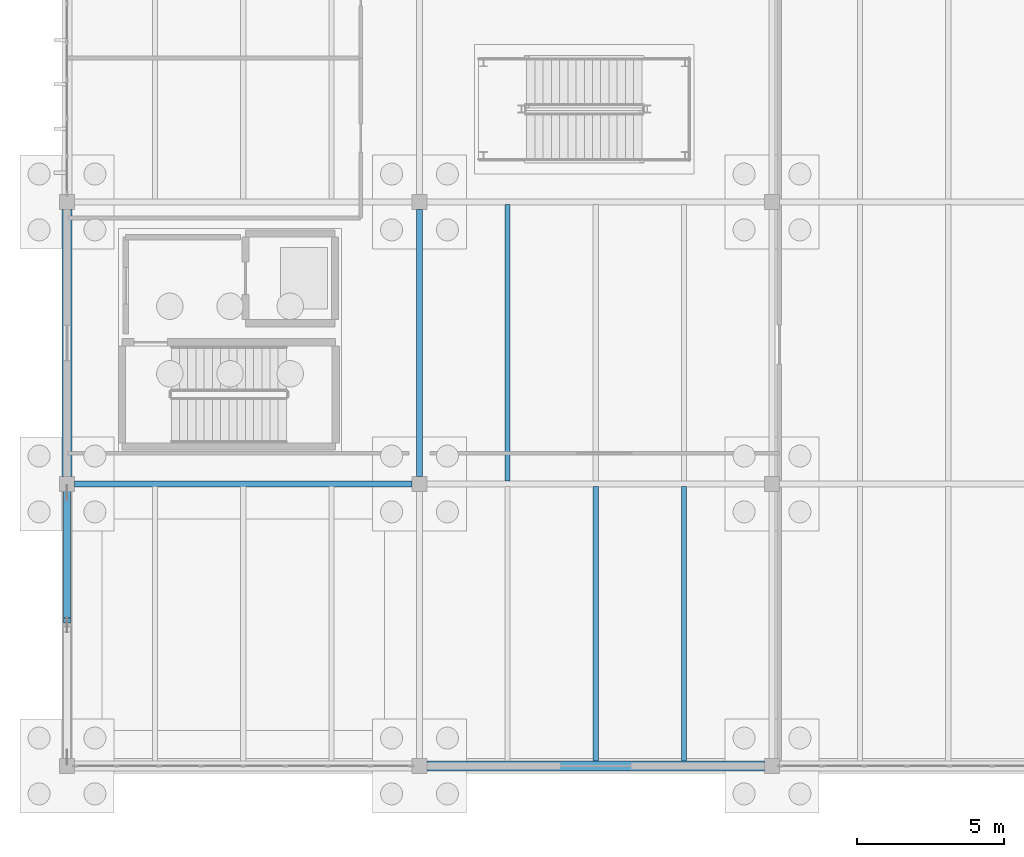
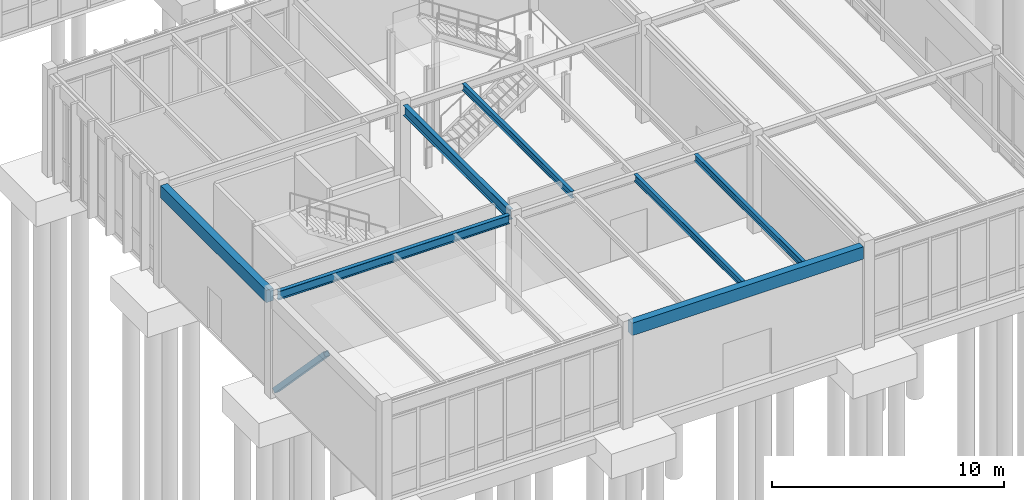
# One storey, part 23 of 188: 7 beams, 1 member.
"""IFC4 building model written with IfcOpenShell, lengths in metres."""

from ifc_helpers import new_model, si_unit, direction, frame, origin, origin_2d, place, context, subcontext, project, spatial, rectangle, hollow_rectangle, i_section, extrude, material, material_profile, profile_set, type_object, element, save


model = new_model("IFC4")

# Units and contexts
model_context = context("Model", 3, precision=1e-05, world=origin(), true_north=direction((0.0, 1.0)))
body_context = subcontext(model_context, "Body", "Model", "MODEL_VIEW")
ifc_project = project(units=[si_unit("LENGTHUNIT", "METRE"), si_unit("AREAUNIT", "SQUARE_METRE"), si_unit("VOLUMEUNIT", "CUBIC_METRE"), si_unit("PLANEANGLEUNIT", "RADIAN"), si_unit("MASSUNIT", "GRAM", prefix="KILO")], contexts=[model_context])

# Site, building, storey
site_placement = place(None, origin())
site = spatial("IfcSite", under=ifc_project, at=site_placement, CompositionType="ELEMENT")
building_placement = place(site_placement, origin())
building = spatial("IfcBuilding", under=site, at=building_placement, Name="Pandanus Reach Market Hall", CompositionType="ELEMENT")
storey_placement = place(building_placement, origin())
storey = spatial("IfcBuildingStorey", under=building, at=storey_placement, Name="L00", CompositionType="ELEMENT", Elevation=0.0)

# Beams
ifc_material_1 = material(Name="Concrete N40 (40 MPa)", Category="concrete")
ifc_material_profile_1 = material_profile(ifc_material_1, rectangle(XDim=0.35009765625, YDim=0.64990234375, at=origin_2d()), Name="RC350x650", Category="LoadBearing")
ifc_profile_set_1 = profile_set([ifc_material_profile_1], Name="Concrete N40 (40 MPa)")
beam_type_1 = type_object("IfcBeamType", Name="BM-RC350-E", PredefinedType="SPANDREL", material=ifc_profile_set_1)
beam_1_placement = place(storey_placement, frame((12.248046875, 0.0, 4.784912109375), z_axis=(1.0, 0.0, 0.0), x_axis=(0.0, 1.0, 0.0)))
element("IfcBeam", 1, at=beam_1_placement, inside=storey, type_object=beam_type_1, Name="Framing beam BM-RC350-E L00.922", PredefinedType="SPANDREL", context=body_context, shape_type="SweptSolid", body=[
    extrude(rectangle(XDim=0.35009765625, YDim=0.64990234375, at=origin_2d()), origin(), (0.0, 0.0, 1.0), 11.50390625),
])
beam_2_placement = place(storey_placement, frame((0.0, 9.847900390625, 4.784912109375), z_axis=(0.0, 1.0, 0.0), x_axis=(-1.0, 0.0, 0.0)))
element("IfcBeam", 2, at=beam_2_placement, inside=storey, type_object=beam_type_1, Name="Framing beam BM-RC350-E L00.934", PredefinedType="SPANDREL", context=body_context, shape_type="SweptSolid", body=[
    extrude(rectangle(XDim=0.35009765625, YDim=0.64990234375, at=origin_2d()), origin(), (0.0, 0.0, 1.0), 9.10400390625),
])
ifc_material_2 = material(Name="Steel Grade 350 (350 MPa)", Category="steel")
ifc_material_profile_2 = material_profile(ifc_material_2, i_section(OverallWidth=0.18994140625, OverallDepth=0.45703125, WebThickness=0.009033203125, FlangeThickness=0.014404296875, at=origin_2d()), Name="460UB74.6", Category="LoadBearing")
ifc_profile_set_2 = profile_set([ifc_material_profile_2], Name="Steel Grade 350 (350 MPa)")
beam_type_2 = type_object("IfcBeamType", Name="BM-UB460-I", PredefinedType="BEAM", material=ifc_profile_set_2)
beam_3_placement = place(storey_placement, frame((0.248046875, 9.60009765625, 4.881103515625), z_axis=(1.0, 0.0, 0.0), x_axis=(0.0, 1.0, 0.0)))
element("IfcBeam", 3, at=beam_3_placement, inside=storey, type_object=beam_type_2, Name="Framing beam BM-UB460-I L00.924", PredefinedType="BEAM", context=body_context, shape_type="SweptSolid", body=[
    extrude(i_section(OverallWidth=0.18994140625, OverallDepth=0.45703125, WebThickness=0.009033203125, FlangeThickness=0.014404296875, at=origin_2d()), origin(), (0.0, 0.0, 1.0), 11.50390625),
])
ifc_material_profile_3 = material_profile(ifc_material_2, i_section(OverallWidth=0.208984375, OverallDepth=0.532958984375, WebThickness=0.01025390625, FlangeThickness=0.015625, at=origin_2d()), Name="530UB92.4", Category="LoadBearing")
ifc_profile_set_3 = profile_set([ifc_material_profile_3], Name="Steel Grade 350 (350 MPa)")
beam_type_3 = type_object("IfcBeamType", Name="BM-UB530-I", PredefinedType="BEAM", material=ifc_profile_set_3)
beam_4_placement = place(storey_placement, frame((12.0, 9.847900390625, 4.843017578125), z_axis=(0.0, 1.0, 0.0), x_axis=(-1.0, 0.0, 0.0)))
element("IfcBeam", 4, at=beam_4_placement, inside=storey, type_object=beam_type_3, Name="Framing beam BM-UB530-I L00.937", PredefinedType="BEAM", context=body_context, shape_type="SweptSolid", body=[
    extrude(i_section(OverallWidth=0.208984375, OverallDepth=0.532958984375, WebThickness=0.01025390625, FlangeThickness=0.015625, at=origin_2d()), origin(), (0.0, 0.0, 1.0), 9.10400390625),
])

# Member
ifc_material_profile_4 = material_profile(ifc_material_2, hollow_rectangle(XDim=0.25, YDim=0.25, WallThickness=0.010009765625, at=origin_2d()), Name="250x250x10.0SHS", Category="LoadBearing")
ifc_profile_set_4 = profile_set([ifc_material_profile_4], Name="Steel Grade 350 (350 MPa)")
member_type = type_object("IfcMemberType", Name="BR-SHS250-E", PredefinedType="BRACE", material=ifc_profile_set_4)
member_placement = place(storey_placement, frame((0.0, 9.31005859375, 0.14990234375), z_axis=(0.0, -0.691875912471, 0.722016427612), x_axis=(1.0, 0.0, 0.0)))
element("IfcMember", 5, at=member_placement, inside=storey, type_object=member_type, Name="Chevron brace BR-SHS250-E 9B", PredefinedType="BRACE", context=body_context, shape_type="SweptSolid", body=[
    extrude(hollow_rectangle(XDim=0.25, YDim=0.25, WallThickness=0.010009765625, at=origin_2d()), origin(), (0.0, 0.0, 1.0), 6.3017578125),
])

# Beams
ifc_material_profile_5 = material_profile(ifc_material_2, i_section(OverallWidth=0.1708984375, OverallDepth=0.35595703125, WebThickness=0.00732421875, FlangeThickness=0.011474609375, at=origin_2d()), Name="360UB50.7", Category="LoadBearing")
ifc_profile_set_5 = profile_set([ifc_material_profile_5], Name="Steel Grade 350 (350 MPa)")
beam_type_4 = type_object("IfcBeamType", Name="JS-UB360-I", PredefinedType="JOIST", material=ifc_profile_set_5)
for number, where, z_axis, x_axis, name in (
    (6, (18.0, 0.173095703125, 4.931640625), (0.0, 1.0, 0.0), (-1.0, 0.0, 0.0), "Secondary joist JS-UB360-I L00.952"),
    (7, (21.0, 0.173095703125, 4.931640625), (0.0, 1.0, 0.0), (-1.0, 0.0, 0.0), "Secondary joist JS-UB360-I L00.953"),
):
    element("IfcBeam", number, at=place(storey_placement, frame(where, z_axis=z_axis, x_axis=x_axis)), inside=storey, type_object=beam_type_4, Name=name, PredefinedType="JOIST", context=body_context, shape_type="SweptSolid", body=[
        extrude(i_section(OverallWidth=0.1708984375, OverallDepth=0.35595703125, WebThickness=0.00732421875, FlangeThickness=0.011474609375, at=origin_2d()), origin(), (0.0, 0.0, 1.0), 9.333984375),
    ])
beam_5_placement = place(storey_placement, frame((15.0, 9.693115234375, 4.931640625), z_axis=(0.0, 1.0, 0.0), x_axis=(-1.0, 0.0, 0.0)))
element("IfcBeam", 8, at=beam_5_placement, inside=storey, type_object=beam_type_4, Name="Secondary joist JS-UB360-I L00.954", PredefinedType="JOIST", context=body_context, shape_type="SweptSolid", body=[
    extrude(i_section(OverallWidth=0.1708984375, OverallDepth=0.35595703125, WebThickness=0.00732421875, FlangeThickness=0.011474609375, at=origin_2d()), origin(), (0.0, 0.0, 1.0), 9.413818359375),
])

save(model, "model.ifc")
